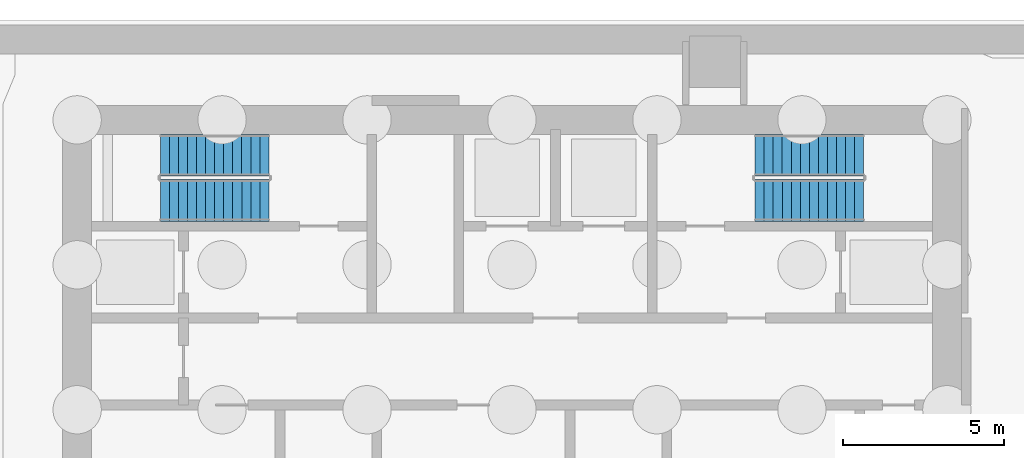
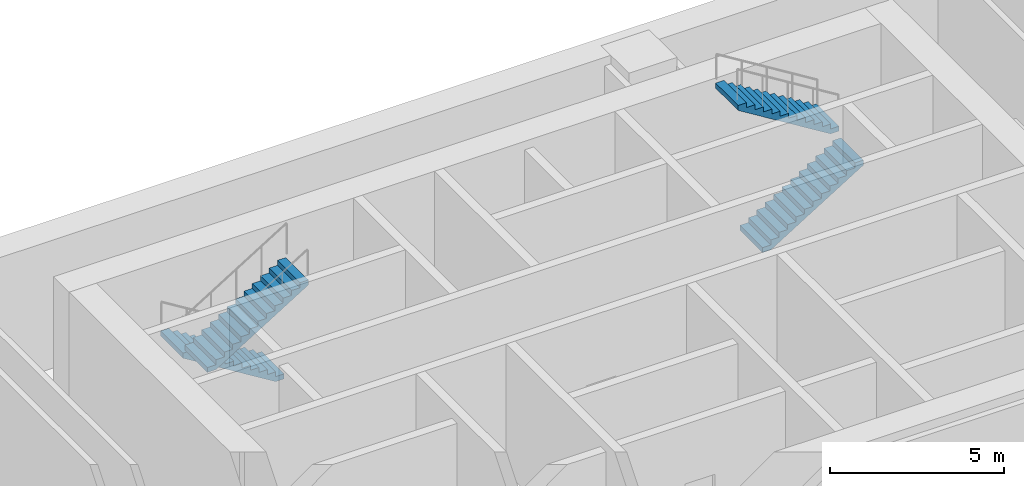
# One storey, part 8 of 13: 4 stair flights, 2 elements without a shape of their own.
"""IFC4 building model written with IfcOpenShell, lengths in metres."""

from ifc_helpers import new_model, si_unit, direction, frame, origin, place, context, subcontext, project, spatial, triangles, source, transform, mapped, material, type_object, element, aggregate, save


model = new_model("IFC4")

# Units and contexts
model_context = context("Model", 3, precision=1e-05, world=origin(), true_north=direction((0.0, 1.0)))
body_context = subcontext(model_context, "Body", "Model", "MODEL_VIEW")
ifc_project = project(units=[si_unit("LENGTHUNIT", "METRE"), si_unit("AREAUNIT", "SQUARE_METRE"), si_unit("VOLUMEUNIT", "CUBIC_METRE"), si_unit("PLANEANGLEUNIT", "RADIAN"), si_unit("MASSUNIT", "GRAM", prefix="KILO")], contexts=[model_context])

# Site, building, storey
site_placement = place(None, origin())
site = spatial("IfcSite", under=ifc_project, at=site_placement, CompositionType="ELEMENT")
building_placement = place(site_placement, origin())
building = spatial("IfcBuilding", under=site, at=building_placement, Name="Ogive Portal Towers", CompositionType="ELEMENT")
storey_placement = place(building_placement, frame((0.0, 0.0, -9.0)))
storey = spatial("IfcBuildingStorey", under=building, at=storey_placement, Name="B2", CompositionType="ELEMENT", Elevation=-9.0)

# Stair, stair flights
ifc_material = material(Name="Concrete C40/50", Category="concrete")
stair_type = type_object("IfcStairType", Name="INT-STAIR", PredefinedType="HALF_TURN_STAIR", material=ifc_material)
stair_1_placement = place(storey_placement, origin())
stair_1 = element("IfcStair", 1, at=stair_1_placement, inside=storey, type_object=stair_type, Name="B2 Exit Stair ST-A1", PredefinedType="HALF_TURN_STAIR")
stair_flight_type = type_object("IfcStairFlightType", Name="INT-FLIGHT", PredefinedType="STRAIGHT", material=ifc_material)
shared_shape = source(origin(), body_context, "Body", "Tessellation", [
    triangles([(0.0, -0.650146484375, 0.0), (0.0, -0.376220703125, 0.0), (0.0, -0.192626953125, 0.0), (0.0, -0.081298828125, 0.0), (0.0, -0.024169921875, 0.0), (0.0, -0.003173828125, 0.0), (0.0, 0.0, 0.0), (0.0, 0.0029296875, 0.0), (0.0, 0.02392578125, 0.0), (0.0, 0.0810546875, 0.0), (0.0, 0.1923828125, 0.0), (0.0, 0.3759765625, 0.0), (0.0, 0.64990234375, 0.0), (0.0, -0.650146484375, 0.173095703125), (0.0, -0.376220703125, 0.173095703125), (0.0, -0.192626953125, 0.173095703125), (0.0, -0.081298828125, 0.173095703125), (0.0, -0.024169921875, 0.173095703125), (0.0, -0.003173828125, 0.173095703125), (0.0, 0.0, 0.173095703125), (0.0, 0.0029296875, 0.173095703125), (0.0, 0.02392578125, 0.173095703125), (0.0, 0.0810546875, 0.173095703125), (0.0, 0.1923828125, 0.173095703125), (0.0, 0.3759765625, 0.173095703125), (0.0, 0.64990234375, 0.173095703125), (0.280029296875, -0.650146484375, 0.173095703125), (0.280029296875, -0.376220703125, 0.173095703125), (0.280029296875, -0.192626953125, 0.173095703125), (0.280029296875, -0.081298828125, 0.173095703125), (0.280029296875, -0.024169921875, 0.173095703125), (0.280029296875, -0.003173828125, 0.173095703125), (0.280029296875, 0.0, 0.173095703125), (0.280029296875, 0.0029296875, 0.173095703125), (0.280029296875, 0.02392578125, 0.173095703125), (0.280029296875, 0.0810546875, 0.173095703125), (0.280029296875, 0.1923828125, 0.173095703125), (0.280029296875, 0.3759765625, 0.173095703125), (0.280029296875, 0.64990234375, 0.173095703125), (0.280029296875, -0.650146484375, 0.34619140625), (0.280029296875, -0.376220703125, 0.34619140625), (0.280029296875, -0.192626953125, 0.34619140625), (0.280029296875, -0.081298828125, 0.34619140625), (0.280029296875, -0.024169921875, 0.34619140625), (0.280029296875, -0.003173828125, 0.34619140625), (0.280029296875, 0.0, 0.34619140625), (0.280029296875, 0.0029296875, 0.34619140625), (0.280029296875, 0.02392578125, 0.34619140625), (0.280029296875, 0.0810546875, 0.34619140625), (0.280029296875, 0.1923828125, 0.34619140625), (0.280029296875, 0.3759765625, 0.34619140625), (0.280029296875, 0.64990234375, 0.34619140625), (0.56005859375, -0.650146484375, 0.34619140625), (0.56005859375, -0.376220703125, 0.34619140625), (0.56005859375, -0.192626953125, 0.34619140625), (0.56005859375, -0.081298828125, 0.34619140625), (0.56005859375, -0.024169921875, 0.34619140625), (0.56005859375, -0.003173828125, 0.34619140625), (0.56005859375, 0.0, 0.34619140625), (0.56005859375, 0.0029296875, 0.34619140625), (0.56005859375, 0.02392578125, 0.34619140625), (0.56005859375, 0.0810546875, 0.34619140625), (0.56005859375, 0.1923828125, 0.34619140625), (0.56005859375, 0.3759765625, 0.34619140625), (0.56005859375, 0.64990234375, 0.34619140625), (0.56005859375, -0.650146484375, 0.519287109375), (0.56005859375, -0.376220703125, 0.519287109375), (0.56005859375, -0.192626953125, 0.519287109375), (0.56005859375, -0.081298828125, 0.519287109375), (0.56005859375, -0.024169921875, 0.519287109375), (0.56005859375, -0.003173828125, 0.519287109375), (0.56005859375, 0.0, 0.519287109375), (0.56005859375, 0.0029296875, 0.519287109375), (0.56005859375, 0.02392578125, 0.519287109375), (0.56005859375, 0.0810546875, 0.519287109375), (0.56005859375, 0.1923828125, 0.519287109375), (0.56005859375, 0.3759765625, 0.519287109375), (0.56005859375, 0.64990234375, 0.519287109375), (0.840087890625, -0.650146484375, 0.519287109375), (0.840087890625, -0.376220703125, 0.519287109375), (0.840087890625, -0.192626953125, 0.519287109375), (0.840087890625, -0.081298828125, 0.519287109375), (0.840087890625, -0.024169921875, 0.519287109375), (0.840087890625, -0.003173828125, 0.519287109375), (0.840087890625, 0.0, 0.519287109375), (0.840087890625, 0.0029296875, 0.519287109375), (0.840087890625, 0.02392578125, 0.519287109375), (0.840087890625, 0.0810546875, 0.519287109375), (0.840087890625, 0.1923828125, 0.519287109375), (0.840087890625, 0.3759765625, 0.519287109375), (0.840087890625, 0.64990234375, 0.519287109375), (0.840087890625, -0.650146484375, 0.6923828125), (0.840087890625, -0.376220703125, 0.6923828125), (0.840087890625, -0.192626953125, 0.6923828125), (0.840087890625, -0.081298828125, 0.6923828125), (0.840087890625, -0.024169921875, 0.6923828125), (0.840087890625, -0.003173828125, 0.6923828125), (0.840087890625, 0.0, 0.6923828125), (0.840087890625, 0.0029296875, 0.6923828125), (0.840087890625, 0.02392578125, 0.6923828125), (0.840087890625, 0.0810546875, 0.6923828125), (0.840087890625, 0.1923828125, 0.6923828125), (0.840087890625, 0.3759765625, 0.6923828125), (0.840087890625, 0.64990234375, 0.6923828125), (1.1201171875, -0.650146484375, 0.6923828125), (1.1201171875, -0.376220703125, 0.6923828125), (1.1201171875, -0.192626953125, 0.6923828125), (1.1201171875, -0.081298828125, 0.6923828125), (1.1201171875, -0.024169921875, 0.6923828125), (1.1201171875, -0.003173828125, 0.6923828125), (1.1201171875, 0.0, 0.6923828125), (1.1201171875, 0.0029296875, 0.6923828125), (1.1201171875, 0.02392578125, 0.6923828125), (1.1201171875, 0.0810546875, 0.6923828125), (1.1201171875, 0.1923828125, 0.6923828125), (1.1201171875, 0.3759765625, 0.6923828125), (1.1201171875, 0.64990234375, 0.6923828125), (1.1201171875, -0.650146484375, 0.865478515625), (1.1201171875, -0.376220703125, 0.865478515625), (1.1201171875, -0.192626953125, 0.865478515625), (1.1201171875, -0.081298828125, 0.865478515625), (1.1201171875, -0.024169921875, 0.865478515625), (1.1201171875, -0.003173828125, 0.865478515625), (1.1201171875, 0.0, 0.865478515625), (1.1201171875, 0.0029296875, 0.865478515625), (1.1201171875, 0.02392578125, 0.865478515625), (1.1201171875, 0.0810546875, 0.865478515625), (1.1201171875, 0.1923828125, 0.865478515625), (1.1201171875, 0.3759765625, 0.865478515625), (1.1201171875, 0.64990234375, 0.865478515625), (1.39990234375, -0.650146484375, 0.865478515625), (1.39990234375, -0.376220703125, 0.865478515625), (1.39990234375, -0.192626953125, 0.865478515625), (1.39990234375, -0.081298828125, 0.865478515625), (1.39990234375, -0.024169921875, 0.865478515625), (1.39990234375, -0.003173828125, 0.865478515625), (1.39990234375, 0.0, 0.865478515625), (1.39990234375, 0.0029296875, 0.865478515625), (1.39990234375, 0.02392578125, 0.865478515625), (1.39990234375, 0.0810546875, 0.865478515625), (1.39990234375, 0.1923828125, 0.865478515625), (1.39990234375, 0.3759765625, 0.865478515625), (1.39990234375, 0.64990234375, 0.865478515625), (1.39990234375, -0.650146484375, 1.03857421875), (1.39990234375, -0.376220703125, 1.03857421875), (1.39990234375, -0.192626953125, 1.03857421875), (1.39990234375, -0.081298828125, 1.03857421875), (1.39990234375, -0.024169921875, 1.03857421875), (1.39990234375, -0.003173828125, 1.03857421875), (1.39990234375, 0.0, 1.03857421875), (1.39990234375, 0.0029296875, 1.03857421875), (1.39990234375, 0.02392578125, 1.03857421875), (1.39990234375, 0.0810546875, 1.03857421875), (1.39990234375, 0.1923828125, 1.03857421875), (1.39990234375, 0.3759765625, 1.03857421875), (1.39990234375, 0.64990234375, 1.03857421875), (1.679931640625, -0.650146484375, 1.03857421875), (1.679931640625, -0.376220703125, 1.03857421875), (1.679931640625, -0.192626953125, 1.03857421875), (1.679931640625, -0.081298828125, 1.03857421875), (1.679931640625, -0.024169921875, 1.03857421875), (1.679931640625, -0.003173828125, 1.03857421875), (1.679931640625, 0.0, 1.03857421875), (1.679931640625, 0.0029296875, 1.03857421875), (1.679931640625, 0.02392578125, 1.03857421875), (1.679931640625, 0.0810546875, 1.03857421875), (1.679931640625, 0.1923828125, 1.03857421875), (1.679931640625, 0.3759765625, 1.03857421875), (1.679931640625, 0.64990234375, 1.03857421875), (1.679931640625, -0.650146484375, 1.21142578125), (1.679931640625, -0.376220703125, 1.21142578125), (1.679931640625, -0.192626953125, 1.21142578125), (1.679931640625, -0.081298828125, 1.21142578125), (1.679931640625, -0.024169921875, 1.21142578125), (1.679931640625, -0.003173828125, 1.21142578125), (1.679931640625, 0.0, 1.21142578125), (1.679931640625, 0.0029296875, 1.21142578125), (1.679931640625, 0.02392578125, 1.21142578125), (1.679931640625, 0.0810546875, 1.21142578125), (1.679931640625, 0.1923828125, 1.21142578125), (1.679931640625, 0.3759765625, 1.21142578125), (1.679931640625, 0.64990234375, 1.21142578125), (1.9599609375, -0.650146484375, 1.21142578125), (1.9599609375, -0.376220703125, 1.21142578125), (1.9599609375, -0.192626953125, 1.21142578125), (1.9599609375, -0.081298828125, 1.21142578125), (1.9599609375, -0.024169921875, 1.21142578125), (1.9599609375, -0.003173828125, 1.21142578125), (1.9599609375, 0.0, 1.21142578125), (1.9599609375, 0.0029296875, 1.21142578125), (1.9599609375, 0.02392578125, 1.21142578125), (1.9599609375, 0.0810546875, 1.21142578125), (1.9599609375, 0.1923828125, 1.21142578125), (1.9599609375, 0.3759765625, 1.21142578125), (1.9599609375, 0.64990234375, 1.21142578125), (1.9599609375, -0.650146484375, 1.384521484375), (1.9599609375, -0.376220703125, 1.384521484375), (1.9599609375, -0.192626953125, 1.384521484375), (1.9599609375, -0.081298828125, 1.384521484375), (1.9599609375, -0.024169921875, 1.384521484375), (1.9599609375, -0.003173828125, 1.384521484375), (1.9599609375, 0.0, 1.384521484375), (1.9599609375, 0.0029296875, 1.384521484375), (1.9599609375, 0.02392578125, 1.384521484375), (1.9599609375, 0.0810546875, 1.384521484375), (1.9599609375, 0.1923828125, 1.384521484375), (1.9599609375, 0.3759765625, 1.384521484375), (1.9599609375, 0.64990234375, 1.384521484375), (2.239990234375, -0.650146484375, 1.384521484375), (2.239990234375, -0.376220703125, 1.384521484375), (2.239990234375, -0.192626953125, 1.384521484375), (2.239990234375, -0.081298828125, 1.384521484375), (2.239990234375, -0.024169921875, 1.384521484375), (2.239990234375, -0.003173828125, 1.384521484375), (2.239990234375, 0.0, 1.384521484375), (2.239990234375, 0.0029296875, 1.384521484375), (2.239990234375, 0.02392578125, 1.384521484375), (2.239990234375, 0.0810546875, 1.384521484375), (2.239990234375, 0.1923828125, 1.384521484375), (2.239990234375, 0.3759765625, 1.384521484375), (2.239990234375, 0.64990234375, 1.384521484375), (2.239990234375, -0.650146484375, 1.5576171875), (2.239990234375, -0.376220703125, 1.5576171875), (2.239990234375, -0.192626953125, 1.5576171875), (2.239990234375, -0.081298828125, 1.5576171875), (2.239990234375, -0.024169921875, 1.5576171875), (2.239990234375, -0.003173828125, 1.5576171875), (2.239990234375, 0.0, 1.5576171875), (2.239990234375, 0.0029296875, 1.5576171875), (2.239990234375, 0.02392578125, 1.5576171875), (2.239990234375, 0.0810546875, 1.5576171875), (2.239990234375, 0.1923828125, 1.5576171875), (2.239990234375, 0.3759765625, 1.5576171875), (2.239990234375, 0.64990234375, 1.5576171875), (2.52001953125, -0.650146484375, 1.5576171875), (2.52001953125, -0.376220703125, 1.5576171875), (2.52001953125, -0.192626953125, 1.5576171875), (2.52001953125, -0.081298828125, 1.5576171875), (2.52001953125, -0.024169921875, 1.5576171875), (2.52001953125, -0.003173828125, 1.5576171875), (2.52001953125, 0.0, 1.5576171875), (2.52001953125, 0.0029296875, 1.5576171875), (2.52001953125, 0.02392578125, 1.5576171875), (2.52001953125, 0.0810546875, 1.5576171875), (2.52001953125, 0.1923828125, 1.5576171875), (2.52001953125, 0.3759765625, 1.5576171875), (2.52001953125, 0.64990234375, 1.5576171875), (2.52001953125, -0.650146484375, 1.730712890625), (2.52001953125, -0.376220703125, 1.730712890625), (2.52001953125, -0.192626953125, 1.730712890625), (2.52001953125, -0.081298828125, 1.730712890625), (2.52001953125, -0.024169921875, 1.730712890625), (2.52001953125, -0.003173828125, 1.730712890625), (2.52001953125, 0.0, 1.730712890625), (2.52001953125, 0.0029296875, 1.730712890625), (2.52001953125, 0.02392578125, 1.730712890625), (2.52001953125, 0.0810546875, 1.730712890625), (2.52001953125, 0.1923828125, 1.730712890625), (2.52001953125, 0.3759765625, 1.730712890625), (2.52001953125, 0.64990234375, 1.730712890625), (2.800048828125, -0.650146484375, 1.730712890625), (2.800048828125, -0.376220703125, 1.730712890625), (2.800048828125, -0.192626953125, 1.730712890625), (2.800048828125, -0.081298828125, 1.730712890625), (2.800048828125, -0.024169921875, 1.730712890625), (2.800048828125, -0.003173828125, 1.730712890625), (2.800048828125, 0.0, 1.730712890625), (2.800048828125, 0.0029296875, 1.730712890625), (2.800048828125, 0.02392578125, 1.730712890625), (2.800048828125, 0.0810546875, 1.730712890625), (2.800048828125, 0.1923828125, 1.730712890625), (2.800048828125, 0.3759765625, 1.730712890625), (2.800048828125, 0.64990234375, 1.730712890625), (2.800048828125, -0.650146484375, 1.90380859375), (2.800048828125, -0.376220703125, 1.90380859375), (2.800048828125, -0.192626953125, 1.90380859375), (2.800048828125, -0.081298828125, 1.90380859375), (2.800048828125, -0.024169921875, 1.90380859375), (2.800048828125, -0.003173828125, 1.90380859375), (2.800048828125, 0.0, 1.90380859375), (2.800048828125, 0.0029296875, 1.90380859375), (2.800048828125, 0.02392578125, 1.90380859375), (2.800048828125, 0.0810546875, 1.90380859375), (2.800048828125, 0.1923828125, 1.90380859375), (2.800048828125, 0.3759765625, 1.90380859375), (2.800048828125, 0.64990234375, 1.90380859375), (3.080078125, -0.650146484375, 1.90380859375), (3.080078125, -0.376220703125, 1.90380859375), (3.080078125, -0.192626953125, 1.90380859375), (3.080078125, -0.081298828125, 1.90380859375), (3.080078125, -0.024169921875, 1.90380859375), (3.080078125, -0.003173828125, 1.90380859375), (3.080078125, 0.0, 1.90380859375), (3.080078125, 0.0029296875, 1.90380859375), (3.080078125, 0.02392578125, 1.90380859375), (3.080078125, 0.0810546875, 1.90380859375), (3.080078125, 0.1923828125, 1.90380859375), (3.080078125, 0.3759765625, 1.90380859375), (3.080078125, 0.64990234375, 1.90380859375), (3.080078125, -0.650146484375, 2.076904296875), (3.080078125, -0.376220703125, 2.076904296875), (3.080078125, -0.192626953125, 2.076904296875), (3.080078125, -0.081298828125, 2.076904296875), (3.080078125, -0.024169921875, 2.076904296875), (3.080078125, -0.003173828125, 2.076904296875), (3.080078125, 0.0, 2.076904296875), (3.080078125, 0.0029296875, 2.076904296875), (3.080078125, 0.02392578125, 2.076904296875), (3.080078125, 0.0810546875, 2.076904296875), (3.080078125, 0.1923828125, 2.076904296875), (3.080078125, 0.3759765625, 2.076904296875), (3.080078125, 0.64990234375, 2.076904296875), (3.360107421875, -0.650146484375, 2.076904296875), (3.360107421875, -0.376220703125, 2.076904296875), (3.360107421875, -0.192626953125, 2.076904296875), (3.360107421875, -0.081298828125, 2.076904296875), (3.360107421875, -0.024169921875, 2.076904296875), (3.360107421875, -0.003173828125, 2.076904296875), (3.360107421875, 0.0, 2.076904296875), (3.360107421875, 0.0029296875, 2.076904296875), (3.360107421875, 0.02392578125, 2.076904296875), (3.360107421875, 0.0810546875, 2.076904296875), (3.360107421875, 0.1923828125, 2.076904296875), (3.360107421875, 0.3759765625, 2.076904296875), (3.360107421875, 0.64990234375, 2.076904296875), (3.360107421875, -0.650146484375, 1.900634765625), (3.360107421875, -0.376220703125, 1.900634765625), (3.360107421875, -0.192626953125, 1.900634765625), (3.360107421875, -0.081298828125, 1.900634765625), (3.360107421875, -0.024169921875, 1.900634765625), (3.360107421875, -0.003173828125, 1.900634765625), (3.360107421875, 0.0, 1.900634765625), (3.360107421875, 0.0029296875, 1.900634765625), (3.360107421875, 0.02392578125, 1.900634765625), (3.360107421875, 0.0810546875, 1.900634765625), (3.360107421875, 0.1923828125, 1.900634765625), (3.360107421875, 0.3759765625, 1.900634765625), (3.360107421875, 0.64990234375, 1.900634765625), (0.28515625, -0.650146484375, 0.0), (0.28515625, -0.376220703125, 0.0), (0.28515625, -0.192626953125, 0.0), (0.28515625, -0.081298828125, 0.0), (0.28515625, -0.024169921875, 0.0), (0.28515625, -0.003173828125, 0.0), (0.28515625, 0.0, 0.0), (0.28515625, 0.0029296875, 0.0), (0.28515625, 0.02392578125, 0.0), (0.28515625, 0.0810546875, 0.0), (0.28515625, 0.1923828125, 0.0), (0.28515625, 0.3759765625, 0.0), (0.28515625, 0.64990234375, 0.0)], [[1, 14, 15], [1, 15, 2], [2, 15, 16], [2, 16, 3], [3, 16, 17], [3, 17, 4], [4, 17, 18], [4, 18, 5], [5, 18, 19], [5, 19, 6], [6, 19, 20], [6, 20, 7], [7, 20, 21], [7, 21, 8], [8, 21, 22], [8, 22, 9], [9, 22, 23], [9, 23, 10], [10, 23, 24], [10, 24, 11], [11, 24, 25], [11, 25, 12], [12, 25, 26], [12, 26, 13], [14, 27, 28], [14, 28, 15], [15, 28, 29], [15, 29, 16], [16, 29, 30], [16, 30, 17], [17, 30, 31], [17, 31, 18], [18, 31, 32], [18, 32, 19], [19, 32, 33], [19, 33, 20], [20, 33, 34], [20, 34, 21], [21, 34, 35], [21, 35, 22], [22, 35, 36], [22, 36, 23], [23, 36, 37], [23, 37, 24], [24, 37, 38], [24, 38, 25], [25, 38, 39], [25, 39, 26], [27, 40, 41], [27, 41, 28], [28, 41, 42], [28, 42, 29], [29, 42, 43], [29, 43, 30], [30, 43, 44], [30, 44, 31], [31, 44, 45], [31, 45, 32], [32, 45, 46], [32, 46, 33], [33, 46, 47], [33, 47, 34], [34, 47, 48], [34, 48, 35], [35, 48, 49], [35, 49, 36], [36, 49, 50], [36, 50, 37], [37, 50, 51], [37, 51, 38], [38, 51, 52], [38, 52, 39], [40, 53, 54], [40, 54, 41], [41, 54, 55], [41, 55, 42], [42, 55, 56], [42, 56, 43], [43, 56, 57], [43, 57, 44], [44, 57, 58], [44, 58, 45], [45, 58, 59], [45, 59, 46], [46, 59, 60], [46, 60, 47], [47, 60, 61], [47, 61, 48], [48, 61, 62], [48, 62, 49], [49, 62, 63], [49, 63, 50], [50, 63, 64], [50, 64, 51], [51, 64, 65], [51, 65, 52], [53, 66, 67], [53, 67, 54], [54, 67, 68], [54, 68, 55], [55, 68, 69], [55, 69, 56], [56, 69, 70], [56, 70, 57], [57, 70, 71], [57, 71, 58], [58, 71, 72], [58, 72, 59], [59, 72, 73], [59, 73, 60], [60, 73, 74], [60, 74, 61], [61, 74, 75], [61, 75, 62], [62, 75, 76], [62, 76, 63], [63, 76, 77], [63, 77, 64], [64, 77, 78], [64, 78, 65], [66, 79, 80], [66, 80, 67], [67, 80, 81], [67, 81, 68], [68, 81, 82], [68, 82, 69], [69, 82, 83], [69, 83, 70], [70, 83, 84], [70, 84, 71], [71, 84, 85], [71, 85, 72], [72, 85, 86], [72, 86, 73], [73, 86, 87], [73, 87, 74], [74, 87, 88], [74, 88, 75], [75, 88, 89], [75, 89, 76], [76, 89, 90], [76, 90, 77], [77, 90, 91], [77, 91, 78], [79, 92, 93], [79, 93, 80], [80, 93, 94], [80, 94, 81], [81, 94, 95], [81, 95, 82], [82, 95, 96], [82, 96, 83], [83, 96, 97], [83, 97, 84], [84, 97, 98], [84, 98, 85], [85, 98, 99], [85, 99, 86], [86, 99, 100], [86, 100, 87], [87, 100, 101], [87, 101, 88], [88, 101, 102], [88, 102, 89], [89, 102, 103], [89, 103, 90], [90, 103, 104], [90, 104, 91], [92, 105, 106], [92, 106, 93], [93, 106, 107], [93, 107, 94], [94, 107, 108], [94, 108, 95], [95, 108, 109], [95, 109, 96], [96, 109, 110], [96, 110, 97], [97, 110, 111], [97, 111, 98], [98, 111, 112], [98, 112, 99], [99, 112, 113], [99, 113, 100], [100, 113, 114], [100, 114, 101], [101, 114, 115], [101, 115, 102], [102, 115, 116], [102, 116, 103], [103, 116, 117], [103, 117, 104], [105, 118, 119], [105, 119, 106], [106, 119, 120], [106, 120, 107], [107, 120, 121], [107, 121, 108], [108, 121, 122], [108, 122, 109], [109, 122, 123], [109, 123, 110], [110, 123, 124], [110, 124, 111], [111, 124, 125], [111, 125, 112], [112, 125, 126], [112, 126, 113], [113, 126, 127], [113, 127, 114], [114, 127, 128], [114, 128, 115], [115, 128, 129], [115, 129, 116], [116, 129, 130], [116, 130, 117], [118, 131, 132], [118, 132, 119], [119, 132, 133], [119, 133, 120], [120, 133, 134], [120, 134, 121], [121, 134, 135], [121, 135, 122], [122, 135, 136], [122, 136, 123], [123, 136, 137], [123, 137, 124], [124, 137, 138], [124, 138, 125], [125, 138, 139], [125, 139, 126], [126, 139, 140], [126, 140, 127], [127, 140, 141], [127, 141, 128], [128, 141, 142], [128, 142, 129], [129, 142, 143], [129, 143, 130], [131, 144, 145], [131, 145, 132], [132, 145, 146], [132, 146, 133], [133, 146, 147], [133, 147, 134], [134, 147, 148], [134, 148, 135], [135, 148, 149], [135, 149, 136], [136, 149, 150], [136, 150, 137], [137, 150, 151], [137, 151, 138], [138, 151, 152], [138, 152, 139], [139, 152, 153], [139, 153, 140], [140, 153, 154], [140, 154, 141], [141, 154, 155], [141, 155, 142], [142, 155, 156], [142, 156, 143], [144, 157, 158], [144, 158, 145], [145, 158, 159], [145, 159, 146], [146, 159, 160], [146, 160, 147], [147, 160, 161], [147, 161, 148], [148, 161, 162], [148, 162, 149], [149, 162, 163], [149, 163, 150], [150, 163, 164], [150, 164, 151], [151, 164, 165], [151, 165, 152], [152, 165, 166], [152, 166, 153], [153, 166, 167], [153, 167, 154], [154, 167, 168], [154, 168, 155], [155, 168, 169], [155, 169, 156], [157, 170, 171], [157, 171, 158], [158, 171, 172], [158, 172, 159], [159, 172, 173], [159, 173, 160], [160, 173, 174], [160, 174, 161], [161, 174, 175], [161, 175, 162], [162, 175, 176], [162, 176, 163], [163, 176, 177], [163, 177, 164], [164, 177, 178], [164, 178, 165], [165, 178, 179], [165, 179, 166], [166, 179, 180], [166, 180, 167], [167, 180, 181], [167, 181, 168], [168, 181, 182], [168, 182, 169], [170, 183, 184], [170, 184, 171], [171, 184, 185], [171, 185, 172], [172, 185, 186], [172, 186, 173], [173, 186, 187], [173, 187, 174], [174, 187, 188], [174, 188, 175], [175, 188, 189], [175, 189, 176], [176, 189, 190], [176, 190, 177], [177, 190, 191], [177, 191, 178], [178, 191, 192], [178, 192, 179], [179, 192, 193], [179, 193, 180], [180, 193, 194], [180, 194, 181], [181, 194, 195], [181, 195, 182], [183, 196, 197], [183, 197, 184], [184, 197, 198], [184, 198, 185], [185, 198, 199], [185, 199, 186], [186, 199, 200], [186, 200, 187], [187, 200, 201], [187, 201, 188], [188, 201, 202], [188, 202, 189], [189, 202, 203], [189, 203, 190], [190, 203, 204], [190, 204, 191], [191, 204, 205], [191, 205, 192], [192, 205, 206], [192, 206, 193], [193, 206, 207], [193, 207, 194], [194, 207, 208], [194, 208, 195], [196, 209, 210], [196, 210, 197], [197, 210, 211], [197, 211, 198], [198, 211, 212], [198, 212, 199], [199, 212, 213], [199, 213, 200], [200, 213, 214], [200, 214, 201], [201, 214, 215], [201, 215, 202], [202, 215, 216], [202, 216, 203], [203, 216, 217], [203, 217, 204], [204, 217, 218], [204, 218, 205], [205, 218, 219], [205, 219, 206], [206, 219, 220], [206, 220, 207], [207, 220, 221], [207, 221, 208], [209, 222, 223], [209, 223, 210], [210, 223, 224], [210, 224, 211], [211, 224, 225], [211, 225, 212], [212, 225, 226], [212, 226, 213], [213, 226, 227], [213, 227, 214], [214, 227, 228], [214, 228, 215], [215, 228, 229], [215, 229, 216], [216, 229, 230], [216, 230, 217], [217, 230, 231], [217, 231, 218], [218, 231, 232], [218, 232, 219], [219, 232, 233], [219, 233, 220], [220, 233, 234], [220, 234, 221], [222, 235, 236], [222, 236, 223], [223, 236, 237], [223, 237, 224], [224, 237, 238], [224, 238, 225], [225, 238, 239], [225, 239, 226], [226, 239, 240], [226, 240, 227], [227, 240, 241], [227, 241, 228], [228, 241, 242], [228, 242, 229], [229, 242, 243], [229, 243, 230], [230, 243, 244], [230, 244, 231], [231, 244, 245], [231, 245, 232], [232, 245, 246], [232, 246, 233], [233, 246, 247], [233, 247, 234], [235, 248, 249], [235, 249, 236], [236, 249, 250], [236, 250, 237], [237, 250, 251], [237, 251, 238], [238, 251, 252], [238, 252, 239], [239, 252, 253], [239, 253, 240], [240, 253, 254], [240, 254, 241], [241, 254, 255], [241, 255, 242], [242, 255, 256], [242, 256, 243], [243, 256, 257], [243, 257, 244], [244, 257, 258], [244, 258, 245], [245, 258, 259], [245, 259, 246], [246, 259, 260], [246, 260, 247], [248, 261, 262], [248, 262, 249], [249, 262, 263], [249, 263, 250], [250, 263, 264], [250, 264, 251], [251, 264, 265], [251, 265, 252], [252, 265, 266], [252, 266, 253], [253, 266, 267], [253, 267, 254], [254, 267, 268], [254, 268, 255], [255, 268, 269], [255, 269, 256], [256, 269, 270], [256, 270, 257], [257, 270, 271], [257, 271, 258], [258, 271, 272], [258, 272, 259], [259, 272, 273], [259, 273, 260], [261, 274, 275], [261, 275, 262], [262, 275, 276], [262, 276, 263], [263, 276, 277], [263, 277, 264], [264, 277, 278], [264, 278, 265], [265, 278, 279], [265, 279, 266], [266, 279, 280], [266, 280, 267], [267, 280, 281], [267, 281, 268], [268, 281, 282], [268, 282, 269], [269, 282, 283], [269, 283, 270], [270, 283, 284], [270, 284, 271], [271, 284, 285], [271, 285, 272], [272, 285, 286], [272, 286, 273], [274, 287, 288], [274, 288, 275], [275, 288, 289], [275, 289, 276], [276, 289, 290], [276, 290, 277], [277, 290, 291], [277, 291, 278], [278, 291, 292], [278, 292, 279], [279, 292, 293], [279, 293, 280], [280, 293, 294], [280, 294, 281], [281, 294, 295], [281, 295, 282], [282, 295, 296], [282, 296, 283], [283, 296, 297], [283, 297, 284], [284, 297, 298], [284, 298, 285], [285, 298, 299], [285, 299, 286], [287, 300, 301], [287, 301, 288], [288, 301, 302], [288, 302, 289], [289, 302, 303], [289, 303, 290], [290, 303, 304], [290, 304, 291], [291, 304, 305], [291, 305, 292], [292, 305, 306], [292, 306, 293], [293, 306, 307], [293, 307, 294], [294, 307, 308], [294, 308, 295], [295, 308, 309], [295, 309, 296], [296, 309, 310], [296, 310, 297], [297, 310, 311], [297, 311, 298], [298, 311, 312], [298, 312, 299], [300, 313, 314], [300, 314, 301], [301, 314, 315], [301, 315, 302], [302, 315, 316], [302, 316, 303], [303, 316, 317], [303, 317, 304], [304, 317, 318], [304, 318, 305], [305, 318, 319], [305, 319, 306], [306, 319, 320], [306, 320, 307], [307, 320, 321], [307, 321, 308], [308, 321, 322], [308, 322, 309], [309, 322, 323], [309, 323, 310], [310, 323, 324], [310, 324, 311], [311, 324, 325], [311, 325, 312], [313, 326, 327], [313, 327, 314], [314, 327, 328], [314, 328, 315], [315, 328, 329], [315, 329, 316], [316, 329, 330], [316, 330, 317], [317, 330, 331], [317, 331, 318], [318, 331, 332], [318, 332, 319], [319, 332, 333], [319, 333, 320], [320, 333, 334], [320, 334, 321], [321, 334, 335], [321, 335, 322], [322, 335, 336], [322, 336, 323], [323, 336, 337], [323, 337, 324], [324, 337, 338], [324, 338, 325], [326, 339, 340], [326, 340, 327], [327, 340, 341], [327, 341, 328], [328, 341, 342], [328, 342, 329], [329, 342, 343], [329, 343, 330], [330, 343, 344], [330, 344, 331], [331, 344, 345], [331, 345, 332], [332, 345, 346], [332, 346, 333], [333, 346, 347], [333, 347, 334], [334, 347, 348], [334, 348, 335], [335, 348, 349], [335, 349, 336], [336, 349, 350], [336, 350, 337], [337, 350, 351], [337, 351, 338], [339, 1, 2], [339, 2, 340], [340, 2, 3], [340, 3, 341], [341, 3, 4], [341, 4, 342], [342, 4, 5], [342, 5, 343], [343, 5, 6], [343, 6, 344], [344, 6, 7], [344, 7, 345], [345, 7, 8], [345, 8, 346], [346, 8, 9], [346, 9, 347], [347, 9, 10], [347, 10, 348], [348, 10, 11], [348, 11, 349], [349, 11, 12], [349, 12, 350], [350, 12, 13], [350, 13, 351], [1, 339, 326], [13, 338, 351], [326, 313, 300], [338, 312, 325], [326, 300, 287], [338, 299, 312], [326, 287, 274], [338, 286, 299], [326, 274, 261], [338, 273, 286], [261, 248, 235], [273, 247, 260], [326, 261, 235], [338, 247, 273], [235, 222, 209], [247, 221, 234], [326, 235, 209], [338, 221, 247], [209, 196, 183], [221, 195, 208], [326, 209, 183], [338, 195, 221], [1, 326, 183], [13, 195, 338], [183, 170, 157], [195, 169, 182], [157, 144, 131], [169, 143, 156], [183, 157, 131], [195, 143, 169], [131, 118, 105], [143, 117, 130], [183, 131, 105], [195, 117, 143], [105, 92, 79], [117, 91, 104], [183, 105, 79], [195, 91, 117], [79, 66, 53], [91, 65, 78], [183, 79, 53], [195, 65, 91], [53, 40, 27], [65, 39, 52], [183, 53, 27], [195, 39, 65], [1, 183, 27], [13, 39, 195], [27, 14, 1], [39, 13, 26]], closed=True),
])
stair_flight_1_placement = place(storey_placement, frame((37.449951171875, 38.39990234375, 0.0), z_axis=(0.0, 0.0, 1.0), x_axis=(-1.0, 0.0, 0.0)))
stair_flight_1 = element("IfcStairFlight", 2, at=stair_flight_1_placement, type_object=stair_flight_type, Name="ST-A1 flight 1", NumberOfRisers=13, NumberOfTreads=12, PredefinedType="STRAIGHT", RiserHeight=0.173076923, TreadLength=0.28, context=body_context, shape_type="MappedRepresentation", body=[
    mapped(shared_shape, transform((0.0, 0.0, 0.0), scale=1.0)),
])
stair_flight_2_placement = place(storey_placement, frame((34.090087890625, 37.0, 2.25), z_axis=(0.0, 0.0, 1.0), x_axis=(1.0, 0.0, 0.0)))
stair_flight_2 = element("IfcStairFlight", 3, at=stair_flight_2_placement, type_object=stair_flight_type, Name="ST-A1 flight 2", NumberOfRisers=13, NumberOfTreads=12, PredefinedType="STRAIGHT", RiserHeight=0.173076923, TreadLength=0.28, context=body_context, shape_type="MappedRepresentation", body=[
    mapped(shared_shape, transform((0.0, 0.0, 0.0), scale=1.0)),
])
aggregate(stair_1, [stair_flight_1, stair_flight_2])

stair_2_placement = place(storey_placement, origin())
stair_2 = element("IfcStair", 4, at=stair_2_placement, inside=storey, type_object=stair_type, Name="B2 Exit Stair ST-A2", PredefinedType="HALF_TURN_STAIR")
stair_flight_3_placement = place(storey_placement, frame((52.550048828125, 37.0, 0.0), z_axis=(0.0, 0.0, 1.0), x_axis=(1.0, 0.0, 0.0)))
stair_flight_3 = element("IfcStairFlight", 5, at=stair_flight_3_placement, type_object=stair_flight_type, Name="ST-A2 flight 1", NumberOfRisers=13, NumberOfTreads=12, PredefinedType="STRAIGHT", RiserHeight=0.173076923, TreadLength=0.28, context=body_context, shape_type="MappedRepresentation", body=[
    mapped(shared_shape, transform((0.0, 0.0, 0.0), scale=1.0)),
])
stair_flight_4_placement = place(storey_placement, frame((55.909912109375, 38.39990234375, 2.25), z_axis=(0.0, 0.0, 1.0), x_axis=(-1.0, 0.0, 0.0)))
stair_flight_4 = element("IfcStairFlight", 6, at=stair_flight_4_placement, type_object=stair_flight_type, Name="ST-A2 flight 2", NumberOfRisers=13, NumberOfTreads=12, PredefinedType="STRAIGHT", RiserHeight=0.173076923, TreadLength=0.28, context=body_context, shape_type="MappedRepresentation", body=[
    mapped(shared_shape, transform((0.0, 0.0, 0.0), scale=1.0)),
])
aggregate(stair_2, [stair_flight_3, stair_flight_4])

save(model, "model.ifc")
